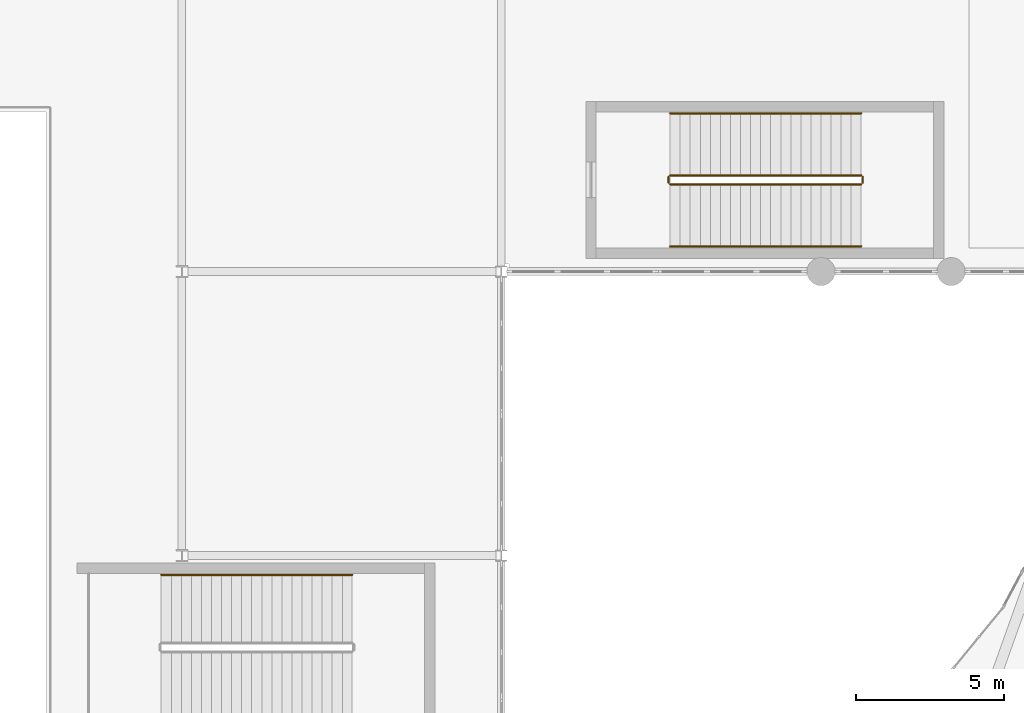
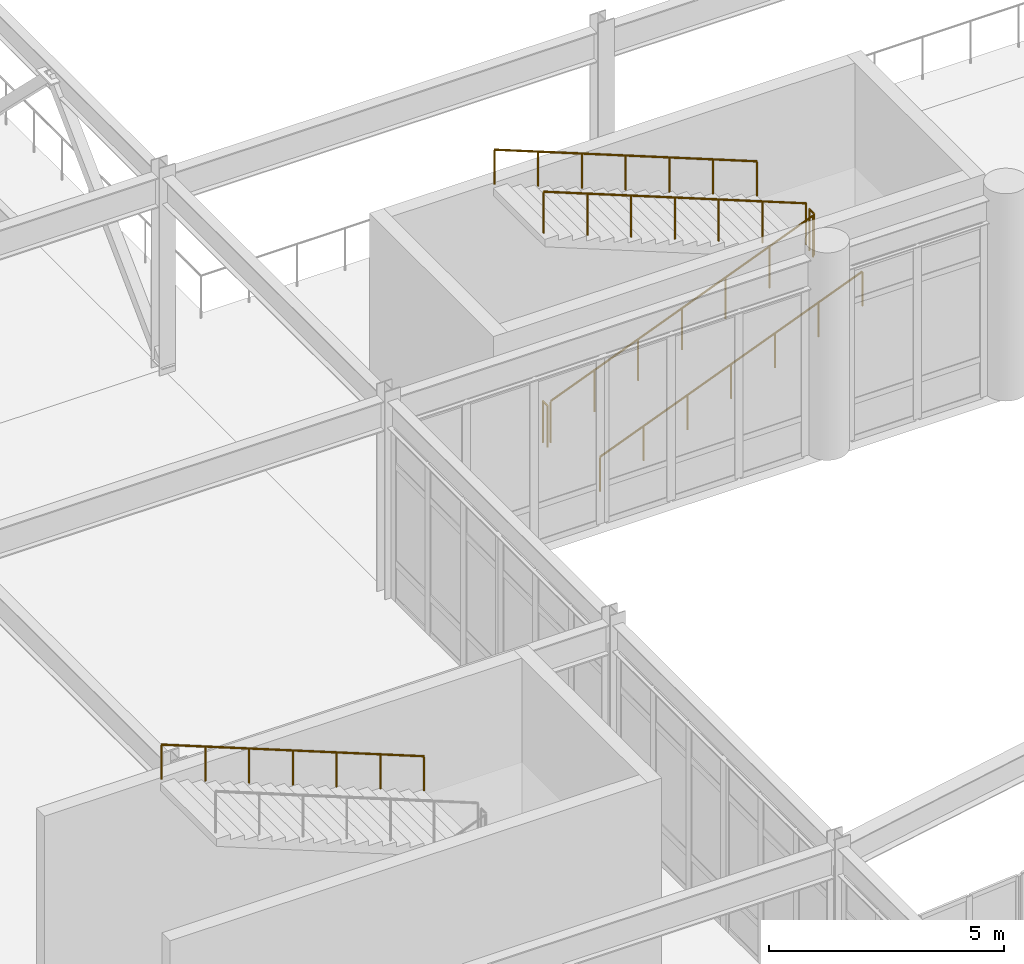
# One storey, part 67 of 72: 7 railings.
"""IFC4 building model written with IfcOpenShell, lengths in metres."""

import ifcopenshell
import ifcopenshell.guid

model = None  # the IFC model being written
_history = None  # IfcOwnerHistory: only IFC2X3 demands one
_inside = {}  # id of a spatial element -> (the spatial element, [elements in it])
_under = {}  # id of a project, library or spatial element -> (it, [spatial elements below it])
_declared = {}  # id of a project -> (the project, [libraries it declares])
_typed = {}  # id of a type object -> (the type object, [elements of that type])
_made_of = {}  # id of a material, layer set ... -> (it, [elements and type objects made of it])


def new_model(schema):
    """Start an empty IFC model of exactly this schema.

    Asked for "IFC4X3", IfcOpenShell would pick the latest addendum, in which some entities
    have other attributes; the version numbers below select the first issue.
    IFC2X3 requires an IfcOwnerHistory on every rooted entity: one is made here for all.
    """
    global model, _history
    if schema == "IFC4X3":
        model = ifcopenshell.file(schema_version=(4, 3, 0, 0))
    else:
        model = ifcopenshell.file(schema=schema)
    _inside.clear()
    _under.clear()
    _declared.clear()
    _typed.clear()
    _made_of.clear()
    _history = None
    if model.schema == "IFC2X3":
        org = make("IfcOrganization", Name="unknown")
        user = make(
            "IfcPersonAndOrganization",
            ThePerson=make("IfcPerson", FamilyName="unknown"),
            TheOrganization=org,
        )
        app = make(
            "IfcApplication",
            ApplicationDeveloper=org,
            Version="unknown",
            ApplicationFullName="unknown",
            ApplicationIdentifier="unknown",
        )
        _history = make(
            "IfcOwnerHistory",
            OwningUser=user,
            OwningApplication=app,
            ChangeAction="ADDED",
            CreationDate=0,
        )
    return model


def make(cls, **values):
    """One entity of the class cls with the attributes given. An attribute that is None is left unset."""
    return model.create_entity(
        cls, **{name: value for name, value in values.items() if value is not None}
    )


def rooted(cls, **values):
    """An entity with a GlobalId (a new one), such as an element, a storey or a relation."""
    return make(cls, GlobalId=ifcopenshell.guid.new(), OwnerHistory=_history, **values)


def si_unit(unit_type, name, prefix=None):
    """IfcSIUnit, for example si_unit("LENGTHUNIT", "METRE", prefix="MILLI")."""
    return make("IfcSIUnit", UnitType=unit_type, Prefix=prefix, Name=name)


def assignment(units):
    """IfcUnitAssignment: the units of a project."""
    return None if units is None else make("IfcUnitAssignment", Units=units)


def point(xyz):
    """IfcCartesianPoint."""
    return None if xyz is None else make("IfcCartesianPoint", Coordinates=xyz)


def direction(xyz):
    """IfcDirection."""
    return None if xyz is None else make("IfcDirection", DirectionRatios=xyz)


def frame(location, z_axis=None, x_axis=None):
    """IfcAxis2Placement3D, a coordinate frame: its origin and axes. An axis left out is left unset."""
    return make(
        "IfcAxis2Placement3D",
        Location=point(location),
        Axis=direction(z_axis),
        RefDirection=direction(x_axis),
    )


def frame_2d(location, x_axis=None):
    """IfcAxis2Placement2D, a coordinate frame in the plane: its origin and x axis."""
    return make(
        "IfcAxis2Placement2D", Location=point(location), RefDirection=direction(x_axis)
    )


def origin():
    """The frame at (0, 0, 0) with its axes left unset."""
    return frame((0.0, 0.0, 0.0))


def origin_2d():
    """The frame at (0, 0) in the plane with its x axis left unset."""
    return frame_2d((0.0, 0.0))


def place(relative_to, where):
    """IfcLocalPlacement: puts the frame where relative to a parent placement (None: the world)."""
    return make(
        "IfcLocalPlacement", PlacementRelTo=relative_to, RelativePlacement=where
    )


def context(
    kind, dimensions, precision=None, world=None, true_north=None, identifier=None
):
    """IfcGeometricRepresentationContext, for example the 3D "Model" context."""
    return make(
        "IfcGeometricRepresentationContext",
        ContextIdentifier=identifier,
        ContextType=kind,
        CoordinateSpaceDimension=dimensions,
        Precision=precision,
        WorldCoordinateSystem=world,
        TrueNorth=true_north,
    )


def subcontext(parent, identifier, kind, view, scale=None):
    """IfcGeometricRepresentationSubContext, for example "Body" below "Model"."""
    return make(
        "IfcGeometricRepresentationSubContext",
        ContextIdentifier=identifier,
        ContextType=kind,
        ParentContext=parent,
        TargetScale=scale,
        TargetView=view,
    )


def project(units=None, contexts=None):
    """IfcProject with its units and contexts."""
    return rooted(
        "IfcProject",
        Name="project",
        RepresentationContexts=contexts,
        UnitsInContext=assignment(units),
    )


def spatial(cls, under=None, at=None, **own):
    """A site, building, storey or space (cls), placed at a placement, below another one or the project."""
    s = rooted(cls, ObjectPlacement=at, **own)
    if under is not None:
        _under.setdefault(under.id(), (under, []))[1].append(s)
    return s


def profile(cls, at=None, kind="AREA", **sizes):
    """A parametric profile (cls). Its sizes go by their IFC names, for example OverallWidth=200.0."""
    return make(cls, ProfileType=kind, Position=at, **sizes)


def circle(**sizes):
    """IfcCircleProfileDef."""
    return profile("IfcCircleProfileDef", **sizes)


def extrude(swept, where, along, depth):
    """IfcExtrudedAreaSolid: the profile swept, set in the frame where, extruded along a direction by depth."""
    return make(
        "IfcExtrudedAreaSolid",
        SweptArea=swept,
        Position=where,
        ExtrudedDirection=direction(along),
        Depth=depth,
    )


def shape(context_of_items, identifier, shape_type, items):
    """IfcShapeRepresentation: the items that make up one representation, for example the "Body"."""
    return make(
        "IfcShapeRepresentation",
        ContextOfItems=context_of_items,
        RepresentationIdentifier=identifier,
        RepresentationType=shape_type,
        Items=items,
    )


def material(Name=None, Category=None):
    """IfcMaterial."""
    return make("IfcMaterial", Name=Name, Category=Category)


def made_of(thing, what):
    """Note that an element or type object is made of a material, layer set ...; save() writes the relation."""
    if what is not None:
        _made_of.setdefault(what.id(), (what, []))[1].append(thing)
    return thing


def type_object(cls, material=None, **own):
    """A type object (cls), such as IfcWallType, which elements share."""
    return made_of(rooted(cls, **own), material)


def element(
    cls,
    number,
    at=None,
    inside=None,
    cuts=None,
    type_object=None,
    material=None,
    context=None,
    identifier="Body",
    shape_type=None,
    held_by="IfcProductDefinitionShape",
    body=None,
    shapes=None,
    **own,
):
    """One element of the class cls, such as IfcWall. Its Tag is "e" and its number.

    at: its placement. inside: the storey or other place that contains it. cuts: it is an
    opening in that element (IfcRelVoidsElement). A single representation is given by context,
    identifier, shape_type and body (its items); several are given by shapes. held_by: the class
    of the entity that holds the representations. save() writes the other relations.
    """
    e = rooted(cls, Tag="e%d" % number, ObjectPlacement=at, **own)
    if body is not None:
        shapes = [shape(context, identifier, shape_type, body)]
    if shapes is not None:
        e.Representation = make(held_by, Representations=shapes)
    if inside is not None:
        _inside.setdefault(inside.id(), (inside, []))[1].append(e)
    if cuts is not None:
        rooted(
            "IfcRelVoidsElement", RelatingBuildingElement=cuts, RelatedOpeningElement=e
        )
    if type_object is not None:
        _typed.setdefault(type_object.id(), (type_object, []))[1].append(e)
    return made_of(e, material)


def aggregate(whole, parts):
    """IfcRelAggregates: a whole, such as a stair, and the parts it consists of."""
    return rooted("IfcRelAggregates", RelatingObject=whole, RelatedObjects=parts)


def save(model, path):
    """Write the relations noted so far, then the file.

    IfcRelAggregates (storeys below a building ...), IfcRelContainedInSpatialStructure (elements
    in a storey), IfcRelDefinesByType, IfcRelAssociatesMaterial and IfcRelDeclares: one each for
    every whole, place, type object, material and project.
    """
    for whole, parts in _under.values():
        aggregate(whole, parts)
    for where, things in _inside.values():
        rooted(
            "IfcRelContainedInSpatialStructure",
            RelatedElements=things,
            RelatingStructure=where,
        )
    for kind, things in _typed.values():
        rooted("IfcRelDefinesByType", RelatedObjects=things, RelatingType=kind)
    for what, things in _made_of.values():
        rooted("IfcRelAssociatesMaterial", RelatedObjects=things, RelatingMaterial=what)
    for by, libraries in _declared.values():
        rooted("IfcRelDeclares", RelatingContext=by, RelatedDefinitions=libraries)
    model.write(path)


model = new_model("IFC4")

# Units and contexts
model_context = context("Model", 3, precision=1e-05, world=origin(), true_north=direction((0.0, 1.0)))
body_context = subcontext(model_context, "Body", "Model", "MODEL_VIEW")
ifc_project = project(units=[si_unit("LENGTHUNIT", "METRE"), si_unit("AREAUNIT", "SQUARE_METRE"), si_unit("VOLUMEUNIT", "CUBIC_METRE"), si_unit("PLANEANGLEUNIT", "RADIAN"), si_unit("MASSUNIT", "GRAM", prefix="KILO")], contexts=[model_context])

# Site, building, storey
site_placement = place(None, origin())
site = spatial("IfcSite", under=ifc_project, at=site_placement, CompositionType="ELEMENT")
building_placement = place(site_placement, origin())
building = spatial("IfcBuilding", under=site, at=building_placement, Name="Veldera Park Congress Hotel", CompositionType="ELEMENT")
storey_placement = place(building_placement, frame((0.0, 0.0, 5.39990234375)))
storey = spatial("IfcBuildingStorey", under=building, at=storey_placement, Name="L01", CompositionType="ELEMENT", Elevation=5.39990234375)

# Railings
ifc_material = material(Name="Steel ASTM A992 Gr.50", Category="steel")
railing_type_1 = type_object("IfcRailingType", Name="GRD-ST110", PredefinedType="GUARDRAIL", material=ifc_material)
railing_1_placement = place(storey_placement, frame((4.10009765625, 20.35009765625, 0.135009765625)))
element("IfcRailing", 1, at=railing_1_placement, inside=storey, type_object=railing_type_1, Name="L01 ST6 stair guard 1", PredefinedType="GUARDRAIL", context=body_context, shape_type="SweptSolid", body=[
    extrude(circle(Radius=0.02392578125, at=origin_2d()), frame((0.0, 0.0, 1.076171875), z_axis=(0.929406391584, 0.0, 0.369057934859), x_axis=(0.0, 1.0, 0.0)), (0.0, 0.0, 1.0), 6.95068359375),
    extrude(circle(Radius=0.02099609375, at=origin_2d()), origin(), (0.0, 0.0, 1.0), 1.052001953125),
    extrude(circle(Radius=0.02099609375, at=origin_2d()), frame((1.07666015625, 0.0, 0.427490234375)), (0.0, 0.0, 1.0), 1.052001953125),
    extrude(circle(Radius=0.02099609375, at=origin_2d()), frame((2.1533203125, 0.0, 0.85498046875)), (0.0, 0.0, 1.0), 1.052001953125),
    extrude(circle(Radius=0.02099609375, at=origin_2d()), frame((3.22998046875, 0.0, 1.28271484375)), (0.0, 0.0, 1.0), 1.052001953125),
    extrude(circle(Radius=0.02099609375, at=origin_2d()), frame((4.306640625, 0.0, 1.710205078125)), (0.0, 0.0, 1.0), 1.052001953125),
    extrude(circle(Radius=0.02099609375, at=origin_2d()), frame((5.38330078125, 0.0, 2.1376953125)), (0.0, 0.0, 1.0), 1.052001953125),
    extrude(circle(Radius=0.02099609375, at=origin_2d()), frame((6.4599609375, 0.0, 2.565185546875)), (0.0, 0.0, 1.0), 1.052001953125),
])
railing_2_placement = place(storey_placement, frame((10.610107421875, 20.39990234375, 2.7001953125)))
element("IfcRailing", 2, at=railing_2_placement, inside=storey, type_object=railing_type_1, Name="L01 ST6 stair guard 2", PredefinedType="GUARDRAIL", context=body_context, shape_type="SweptSolid", body=[
    extrude(circle(Radius=0.02392578125, at=origin_2d()), frame((0.0, 0.0, 1.076171875), z_axis=(0.0, 1.0, 0.0), x_axis=(-1.0, 0.0, 0.0)), (0.0, 0.0, 1.0), 0.2001953125),
    extrude(circle(Radius=0.02099609375, at=origin_2d()), origin(), (0.0, 0.0, 1.0), 1.052001953125),
    extrude(circle(Radius=0.02099609375, at=origin_2d()), frame((0.0, 0.2001953125, 0.0)), (0.0, 0.0, 1.0), 1.052001953125),
])
railing_3_placement = place(storey_placement, frame((10.56005859375, 20.64990234375, 2.835205078125)))
element("IfcRailing", 3, at=railing_3_placement, inside=storey, type_object=railing_type_1, Name="L01 ST6 stair guard 3", PredefinedType="GUARDRAIL", context=body_context, shape_type="SweptSolid", body=[
    extrude(circle(Radius=0.02392578125, at=origin_2d()), frame((0.0, 0.0, 1.076171875), z_axis=(-0.929418439274, 0.0, 0.369027593462), x_axis=(0.0, -1.0, 0.0)), (0.0, 0.0, 1.0), 6.950439453125),
    extrude(circle(Radius=0.02099609375, at=origin_2d()), origin(), (0.0, 0.0, 1.0), 1.052001953125),
    extrude(circle(Radius=0.02099609375, at=origin_2d()), frame((-1.07666015625, 0.0, 0.427490234375)), (0.0, 0.0, 1.0), 1.052001953125),
    extrude(circle(Radius=0.02099609375, at=origin_2d()), frame((-2.1533203125, 0.0, 0.85498046875)), (0.0, 0.0, 1.0), 1.052001953125),
    extrude(circle(Radius=0.02099609375, at=origin_2d()), frame((-3.22998046875, 0.0, 1.282470703125)), (0.0, 0.0, 1.0), 1.052001953125),
    extrude(circle(Radius=0.02099609375, at=origin_2d()), frame((-4.306640625, 0.0, 1.7099609375)), (0.0, 0.0, 1.0), 1.052001953125),
    extrude(circle(Radius=0.02099609375, at=origin_2d()), frame((-5.38330078125, 0.0, 2.137451171875)), (0.0, 0.0, 1.0), 1.052001953125),
    extrude(circle(Radius=0.02099609375, at=origin_2d()), frame((-6.4599609375, 0.0, 2.56494140625)), (0.0, 0.0, 1.0), 1.052001953125),
])
railing_4_placement = place(storey_placement, frame((4.050048828125, 20.39990234375, 0.0)))
element("IfcRailing", 4, at=railing_4_placement, inside=storey, type_object=railing_type_1, Name="L01 ST6 stair guard 4", PredefinedType="GUARDRAIL", context=body_context, shape_type="SweptSolid", body=[
    extrude(circle(Radius=0.02392578125, at=origin_2d()), frame((0.0, 0.0, 1.076171875), z_axis=(0.0, 1.0, 0.0), x_axis=(-1.0, 0.0, 0.0)), (0.0, 0.0, 1.0), 0.2001953125),
    extrude(circle(Radius=0.02099609375, at=origin_2d()), origin(), (0.0, 0.0, 1.0), 1.052001953125),
    extrude(circle(Radius=0.02099609375, at=origin_2d()), frame((0.0, 0.2001953125, 0.0)), (0.0, 0.0, 1.0), 1.052001953125),
])
railing_type_2 = type_object("IfcRailingType", Name="HRL-920", PredefinedType="HANDRAIL", material=ifc_material)
railing_5_placement = place(storey_placement, frame((4.10009765625, 18.25, 0.135009765625)))
element("IfcRailing", 5, at=railing_5_placement, inside=storey, type_object=railing_type_2, Name="L01 ST6 stair handrail 1", PredefinedType="HANDRAIL", context=body_context, shape_type="SweptSolid", body=[
    extrude(circle(Radius=0.02392578125, at=origin_2d()), frame((0.0, 0.0, 0.89599609375), z_axis=(0.929406391584, 0.0, 0.369057934859), x_axis=(0.0, 1.0, 0.0)), (0.0, 0.0, 1.0), 6.95068359375),
    extrude(circle(Radius=0.02099609375, at=origin_2d()), origin(), (0.0, 0.0, 1.0), 0.871826171875),
    extrude(circle(Radius=0.02099609375, at=origin_2d()), frame((1.07666015625, 0.0, 0.427490234375)), (0.0, 0.0, 1.0), 0.871826171875),
    extrude(circle(Radius=0.02099609375, at=origin_2d()), frame((2.1533203125, 0.0, 0.85498046875)), (0.0, 0.0, 1.0), 0.871826171875),
    extrude(circle(Radius=0.02099609375, at=origin_2d()), frame((3.22998046875, 0.0, 1.28271484375)), (0.0, 0.0, 1.0), 0.871826171875),
    extrude(circle(Radius=0.02099609375, at=origin_2d()), frame((4.306640625, 0.0, 1.710205078125)), (0.0, 0.0, 1.0), 0.871826171875),
    extrude(circle(Radius=0.02099609375, at=origin_2d()), frame((5.38330078125, 0.0, 2.1376953125)), (0.0, 0.0, 1.0), 0.871826171875),
    extrude(circle(Radius=0.02099609375, at=origin_2d()), frame((6.4599609375, 0.0, 2.565185546875)), (0.0, 0.0, 1.0), 0.871826171875),
])
railing_6_placement = place(storey_placement, frame((10.56005859375, 22.75, 2.835205078125)))
element("IfcRailing", 6, at=railing_6_placement, inside=storey, type_object=railing_type_2, Name="L01 ST6 stair handrail 2", PredefinedType="HANDRAIL", context=body_context, shape_type="SweptSolid", body=[
    extrude(circle(Radius=0.02392578125, at=origin_2d()), frame((0.0, 0.0, 0.89599609375), z_axis=(-0.929418439274, 0.0, 0.369027593462), x_axis=(0.0, -1.0, 0.0)), (0.0, 0.0, 1.0), 6.950439453125),
    extrude(circle(Radius=0.02099609375, at=origin_2d()), origin(), (0.0, 0.0, 1.0), 0.871826171875),
    extrude(circle(Radius=0.02099609375, at=origin_2d()), frame((-1.07666015625, 0.0, 0.427490234375)), (0.0, 0.0, 1.0), 0.871826171875),
    extrude(circle(Radius=0.02099609375, at=origin_2d()), frame((-2.1533203125, 0.0, 0.85498046875)), (0.0, 0.0, 1.0), 0.871826171875),
    extrude(circle(Radius=0.02099609375, at=origin_2d()), frame((-3.22998046875, 0.0, 1.282470703125)), (0.0, 0.0, 1.0), 0.871826171875),
    extrude(circle(Radius=0.02099609375, at=origin_2d()), frame((-4.306640625, 0.0, 1.7099609375)), (0.0, 0.0, 1.0), 0.871826171875),
    extrude(circle(Radius=0.02099609375, at=origin_2d()), frame((-5.38330078125, 0.0, 2.137451171875)), (0.0, 0.0, 1.0), 0.871826171875),
    extrude(circle(Radius=0.02099609375, at=origin_2d()), frame((-6.4599609375, 0.0, 2.56494140625)), (0.0, 0.0, 1.0), 0.871826171875),
])
railing_7_placement = place(storey_placement, frame((-6.639892578125, 7.14990234375, 2.835205078125)))
element("IfcRailing", 7, at=railing_7_placement, inside=storey, type_object=railing_type_2, Name="L01 ST9 stair handrail 2", PredefinedType="HANDRAIL", context=body_context, shape_type="SweptSolid", body=[
    extrude(circle(Radius=0.02392578125, at=origin_2d()), frame((0.0, 0.0, 0.89599609375), z_axis=(-0.929423222467, 0.0, 0.369015546474), x_axis=(0.0, -1.0, 0.0)), (0.0, 0.0, 1.0), 6.95068359375),
    extrude(circle(Radius=0.02099609375, at=origin_2d()), origin(), (0.0, 0.0, 1.0), 0.871826171875),
    extrude(circle(Radius=0.02099609375, at=origin_2d()), frame((-1.07666015625, 0.0, 0.427490234375)), (0.0, 0.0, 1.0), 0.871826171875),
    extrude(circle(Radius=0.02099609375, at=origin_2d()), frame((-2.1533203125, 0.0, 0.85498046875)), (0.0, 0.0, 1.0), 0.871826171875),
    extrude(circle(Radius=0.02099609375, at=origin_2d()), frame((-3.22998046875, 0.0, 1.282470703125)), (0.0, 0.0, 1.0), 0.871826171875),
    extrude(circle(Radius=0.02099609375, at=origin_2d()), frame((-4.306884765625, 0.0, 1.7099609375)), (0.0, 0.0, 1.0), 0.871826171875),
    extrude(circle(Radius=0.02099609375, at=origin_2d()), frame((-5.383544921875, 0.0, 2.137451171875)), (0.0, 0.0, 1.0), 0.871826171875),
    extrude(circle(Radius=0.02099609375, at=origin_2d()), frame((-6.460205078125, 0.0, 2.56494140625)), (0.0, 0.0, 1.0), 0.871826171875),
])

save(model, "model.ifc")
